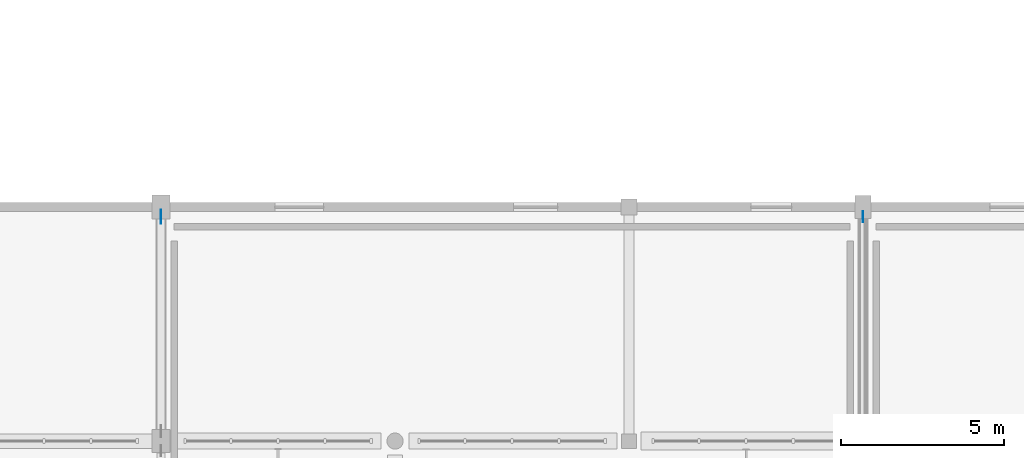
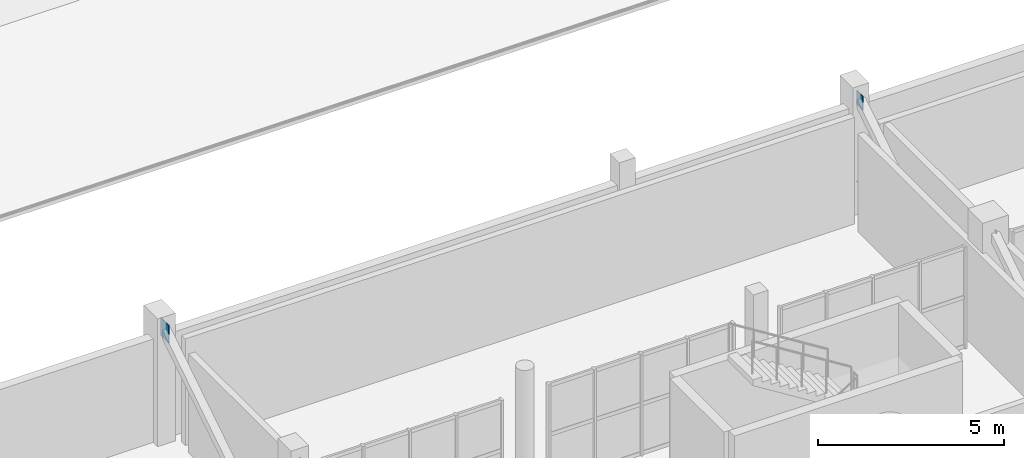
# One storey, part 66 of 90: 2 plates.
"""IFC4 building model written with IfcOpenShell, lengths in metres."""

from ifc_helpers import new_model, si_unit, direction, frame, origin, origin_2d, place, context, subcontext, project, spatial, rectangle, extrude, material, layer, layer_set, type_object, element, save


model = new_model("IFC4")

# Units and contexts
model_context = context("Model", 3, precision=1e-05, world=origin(), true_north=direction((0.0, 1.0)))
body_context = subcontext(model_context, "Body", "Model", "MODEL_VIEW")
ifc_project = project(units=[si_unit("LENGTHUNIT", "METRE"), si_unit("AREAUNIT", "SQUARE_METRE"), si_unit("VOLUMEUNIT", "CUBIC_METRE"), si_unit("PLANEANGLEUNIT", "RADIAN"), si_unit("MASSUNIT", "GRAM", prefix="KILO")], contexts=[model_context])

# Site, building, storey
site_placement = place(None, origin())
site = spatial("IfcSite", under=ifc_project, at=site_placement, CompositionType="ELEMENT")
building_placement = place(site_placement, origin())
building = spatial("IfcBuilding", under=site, at=building_placement, Name="Solanera Park Tramway Depot", CompositionType="ELEMENT")
storey_placement = place(building_placement, frame((0.0, 0.0, 9.0)))
storey = spatial("IfcBuildingStorey", under=building, at=storey_placement, Name="L02", CompositionType="ELEMENT", Elevation=9.0)

# Plates
ifc_material_1 = material(Name="Steel AS/NZS 3679.1 Grade 350", Category="steel")
ifc_layer_1 = layer(ifc_material_1, 0.02197265625)
ifc_layer_set_1 = layer_set([ifc_layer_1], Name="Steel AS/NZS 3679.1 Grade 350")
plate_type_1 = type_object("IfcPlateType", Name="Hollow End Cap and Base Plate 460x340x22", PredefinedType="USERDEFINED", material=ifc_layer_set_1)
plate_1_placement = place(storey_placement, frame((151.199951171875, 32.10009765625, 3.449951171875), z_axis=(0.0, 0.0, 1.0), x_axis=(1.0, 0.0, 0.0)))
element("IfcPlate", 1, at=plate_1_placement, inside=storey, type_object=plate_type_1, Name="Hollow Section End Cap Plate #0012", ObjectType="BASE PLATE", PredefinedType="USERDEFINED", context=body_context, shape_type="SweptSolid", body=[
    extrude(rectangle(XDim=0.02197265625, YDim=0.340087890625, at=origin_2d()), origin(), (0.0, 0.0, 1.0), 0.4599609375),
])
ifc_material_2 = material(Name="Steel AS/NZS 3679.1 Grade 350", Category="steel")
ifc_layer_2 = layer(ifc_material_2, 0.028076171875)
ifc_layer_set_2 = layer_set([ifc_layer_2], Name="Steel AS/NZS 3679.1 Grade 350")
plate_type_2 = type_object("IfcPlateType", Name="Hollow End Cap and Base Plate 580x440x28", PredefinedType="USERDEFINED", material=ifc_layer_set_2)
plate_2_placement = place(storey_placement, frame((129.60009765625, 32.10009765625, 3.389892578125), z_axis=(0.0, 0.0, 1.0), x_axis=(1.0, 0.0, 0.0)))
element("IfcPlate", 2, at=plate_2_placement, inside=storey, type_object=plate_type_2, Name="Hollow Section End Cap Plate #0006", ObjectType="BASE PLATE", PredefinedType="USERDEFINED", context=body_context, shape_type="SweptSolid", body=[
    extrude(rectangle(XDim=0.028076171875, YDim=0.43994140625, at=origin_2d()), origin(), (0.0, 0.0, 1.0), 0.580078125),
])

save(model, "model.ifc")
